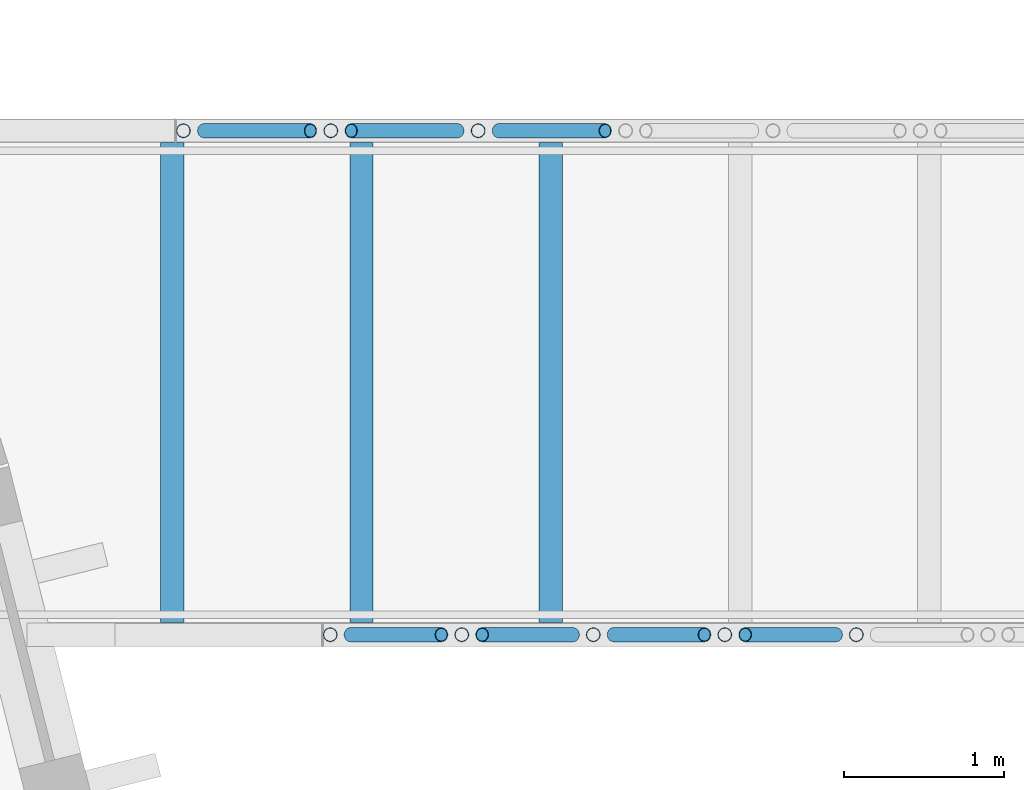
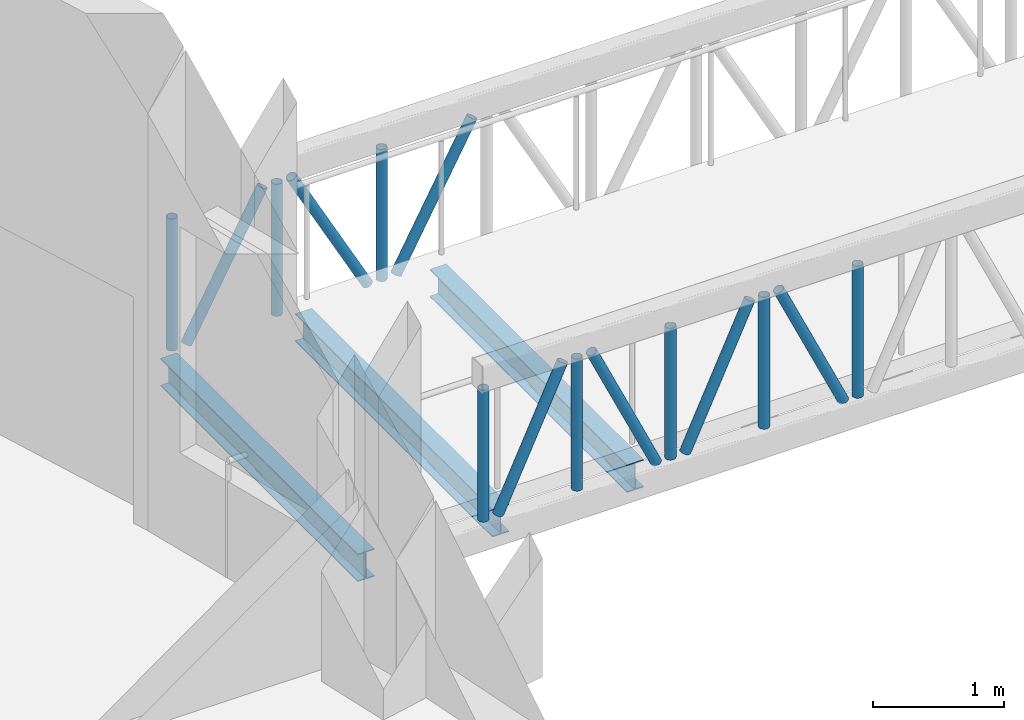
# One storey, part 12 of 93: 15 members, 3 beams.
"""IFC4 building model written with IfcOpenShell, lengths in metres."""

from ifc_helpers import new_model, si_unit, direction, frame, origin, origin_2d, place, context, subcontext, project, spatial, hollow_circle, i_section, extrude, material, material_profile, profile_set, type_object, element, save


model = new_model("IFC4")

# Units and contexts
model_context = context("Model", 3, precision=1e-05, world=origin(), true_north=direction((0.0, 1.0)))
body_context = subcontext(model_context, "Body", "Model", "MODEL_VIEW")
ifc_project = project(units=[si_unit("LENGTHUNIT", "METRE"), si_unit("AREAUNIT", "SQUARE_METRE"), si_unit("VOLUMEUNIT", "CUBIC_METRE"), si_unit("PLANEANGLEUNIT", "RADIAN"), si_unit("MASSUNIT", "GRAM", prefix="KILO")], contexts=[model_context])

# Site, building, storey
site_placement = place(None, origin())
site = spatial("IfcSite", under=ifc_project, at=site_placement, CompositionType="ELEMENT")
building_placement = place(site_placement, origin())
building = spatial("IfcBuilding", under=site, at=building_placement, Name="Tide Square Theatres", CompositionType="ELEMENT")
storey_placement = place(building_placement, frame((0.0, 0.0, 5.39990234375)))
storey = spatial("IfcBuildingStorey", under=building, at=storey_placement, Name="L01", CompositionType="ELEMENT", Elevation=5.39990234375)

# Beams
ifc_material_1 = material(Name="Steel ASTM A572 Grade 50", Category="steel")
ifc_material_profile_1 = material_profile(ifc_material_1, i_section(OverallWidth=0.14599609375, OverallDepth=0.258056640625, WebThickness=0.006103515625, FlangeThickness=0.009033203125, FilletRadius=0.010009765625, at=origin_2d()))
ifc_profile_set_1 = profile_set([ifc_material_profile_1], Name="Steel ASTM A572 Grade 50")
beam_type = type_object("IfcBeamType", Name="Steel beam W 250 x 32.7", PredefinedType="BEAM", material=ifc_profile_set_1)
for number, where, z_axis, x_axis, name in (
    (1, (50.925537109375, 56.5, -0.27978515625), (0.0, 1.0, 0.0), (-1.0, 0.0, 0.0), "Bridge BR-W1 cross beam"),
    (2, (52.108642578125, 56.5, -0.27978515625), (0.0, 1.0, 0.0), (-1.0, 0.0, 0.0), "Bridge BR-W1 cross beam"),
    (3, (53.29150390625, 56.5, -0.27978515625), (0.0, 1.0, 0.0), (-1.0, 0.0, 0.0), "Bridge BR-W1 cross beam"),
):
    element("IfcBeam", number, at=place(storey_placement, frame(where, z_axis=z_axis, x_axis=x_axis)), inside=storey, type_object=beam_type, Name=name, PredefinedType="BEAM", context=body_context, shape_type="SweptSolid", body=[
        extrude(i_section(OverallWidth=0.14599609375, OverallDepth=0.258056640625, WebThickness=0.006103515625, FlangeThickness=0.009033203125, FilletRadius=0.010009765625, at=origin_2d()), origin(), (0.0, 0.0, 1.0), 3.0),
    ])

# Members
ifc_material_2 = material(Name="Steel ASTM A500 Grade C", Category="steel")
ifc_material_profile_2 = material_profile(ifc_material_2, hollow_circle(Radius=0.04443359375, WallThickness=0.0048828125, at=origin_2d()))
ifc_profile_set_2 = profile_set([ifc_material_profile_2], Name="Steel ASTM A500 Grade C")
member_type_1 = type_object("IfcMemberType", Name="Steel brace CHS 88.9 x 5.0", PredefinedType="BRACE", material=ifc_profile_set_2)
for number, where, z_axis, x_axis, name in (
    (4, (52.040283203125, 56.425048828125, -0.14990234375), (0.420399293212, 0.0, 0.907339205737), (0.0, 1.0, 0.0), "Bridge BR-W1 diagonal"),
    (5, (52.8623046875, 56.425048828125, 1.0751953125), (0.420399293212, 0.0, -0.907339205737), (0.0, 1.0, 0.0), "Bridge BR-W1 diagonal"),
    (6, (53.6845703125, 56.425048828125, -0.14990234375), (0.420250416116, 0.0, 0.907408170425), (0.0, 1.0, 0.0), "Bridge BR-W1 diagonal"),
    (7, (54.506591796875, 56.425048828125, 1.0751953125), (0.420250416116, 0.0, -0.907408170425), (0.0, 1.0, 0.0), "Bridge BR-W1 diagonal"),
):
    element("IfcMember", number, at=place(storey_placement, frame(where, z_axis=z_axis, x_axis=x_axis)), inside=storey, type_object=member_type_1, Name=name, PredefinedType="BRACE", context=body_context, shape_type="SweptSolid", body=[
        extrude(hollow_circle(Radius=0.04443359375, WallThickness=0.0048828125, at=origin_2d()), origin(), (0.0, 0.0, 1.0), 1.35009765625),
    ])
for number, where, z_axis, x_axis, name in (
    (8, (51.122802734375, 59.574951171875, -0.14990234375), (0.477895186301, 0.0, 0.878416866249), (0.0, 1.0, 0.0), "Bridge BR-W1 diagonal"),
    (9, (52.043701171875, 59.574951171875, 1.0751953125), (0.477895186301, 0.0, -0.878416866249), (0.0, 1.0, 0.0), "Bridge BR-W1 diagonal"),
):
    element("IfcMember", number, at=place(storey_placement, frame(where, z_axis=z_axis, x_axis=x_axis)), inside=storey, type_object=member_type_1, Name=name, PredefinedType="BRACE", context=body_context, shape_type="SweptSolid", body=[
        extrude(hollow_circle(Radius=0.04443359375, WallThickness=0.0048828125, at=origin_2d()), origin(), (0.0, 0.0, 1.0), 1.394775390625),
    ])
member_placement = place(storey_placement, frame((52.965087890625, 59.574951171875, -0.14990234375), z_axis=(0.477760095482, 0.0, 0.878490347793), x_axis=(0.0, 1.0, 0.0)))
element("IfcMember", 10, at=member_placement, inside=storey, type_object=member_type_1, Name="Bridge BR-W1 diagonal", PredefinedType="BRACE", context=body_context, shape_type="SweptSolid", body=[
    extrude(hollow_circle(Radius=0.04443359375, WallThickness=0.0048828125, at=origin_2d()), origin(), (0.0, 0.0, 1.0), 1.39453125),
])
ifc_material_3 = material(Name="Steel ASTM A500 Grade C", Category="steel")
ifc_material_profile_3 = material_profile(ifc_material_3, hollow_circle(Radius=0.04443359375, WallThickness=0.0048828125, at=origin_2d()))
ifc_profile_set_3 = profile_set([ifc_material_profile_3], Name="Steel ASTM A500 Grade C")
member_type_2 = type_object("IfcMemberType", Name="Steel strut CHS 88.9 x 5.0", PredefinedType="STRUT", material=ifc_profile_set_3)
for number, where, z_axis, x_axis, name in (
    (11, (51.9130859375, 56.425048828125, -0.14990234375), (0.0, 0.0, 1.0), (1.0, 0.0, 0.0), "Bridge BR-W1 post"),
    (12, (52.735107421875, 56.425048828125, -0.14990234375), (0.0, 0.0, 1.0), (1.0, 0.0, 0.0), "Bridge BR-W1 post"),
    (13, (53.55712890625, 56.425048828125, -0.14990234375), (0.0, 0.0, 1.0), (1.0, 0.0, 0.0), "Bridge BR-W1 post"),
    (14, (54.379150390625, 56.425048828125, -0.14990234375), (0.0, 0.0, 1.0), (1.0, 0.0, 0.0), "Bridge BR-W1 post"),
    (15, (55.201171875, 56.425048828125, -0.14990234375), (0.0, 0.0, 1.0), (1.0, 0.0, 0.0), "Bridge BR-W1 post"),
    (16, (50.995361328125, 59.574951171875, -0.14990234375), (0.0, 0.0, 1.0), (1.0, 0.0, 0.0), "Bridge BR-W1 post"),
    (17, (51.91650390625, 59.574951171875, -0.14990234375), (0.0, 0.0, 1.0), (1.0, 0.0, 0.0), "Bridge BR-W1 post"),
    (18, (52.837646484375, 59.574951171875, -0.14990234375), (0.0, 0.0, 1.0), (1.0, 0.0, 0.0), "Bridge BR-W1 post"),
):
    element("IfcMember", number, at=place(storey_placement, frame(where, z_axis=z_axis, x_axis=x_axis)), inside=storey, type_object=member_type_2, Name=name, PredefinedType="STRUT", context=body_context, shape_type="SweptSolid", body=[
        extrude(hollow_circle(Radius=0.04443359375, WallThickness=0.0048828125, at=origin_2d()), origin(), (0.0, 0.0, 1.0), 1.22509765625),
    ])

save(model, "model.ifc")
